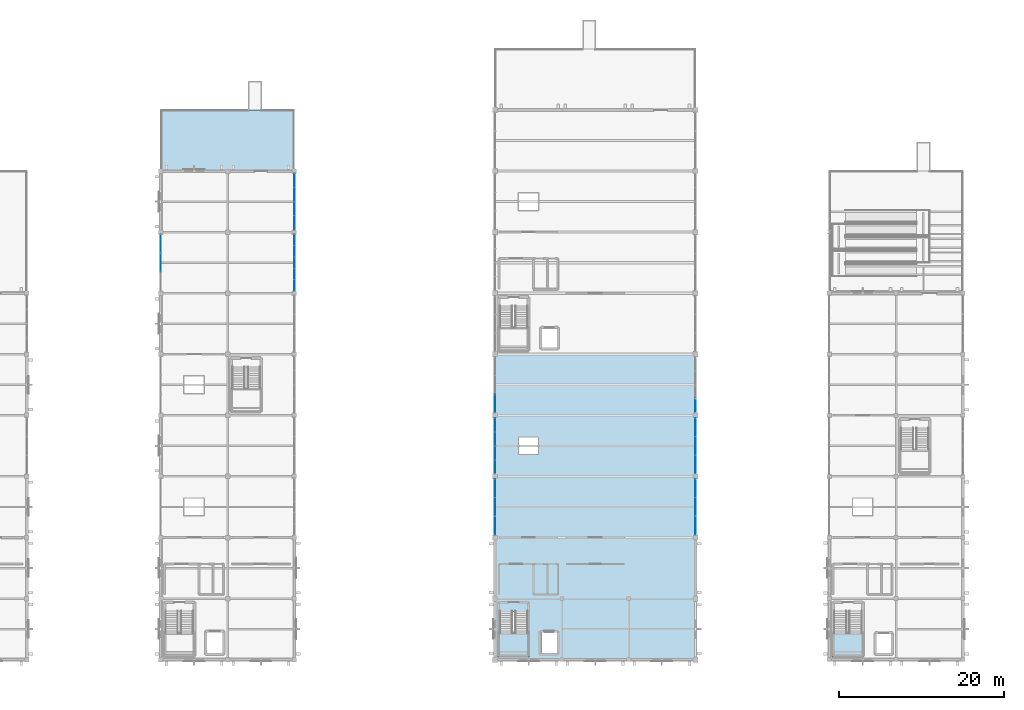
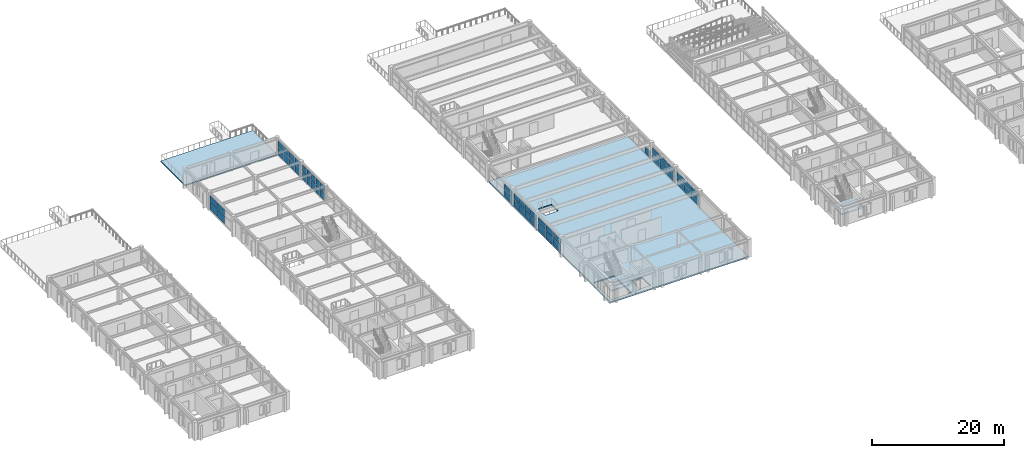
# One storey, part 73 of 93: 51 plates, 4 slabs, 11 elements without a shape of their own.
"""IFC4 building model written with IfcOpenShell, lengths in metres."""

from ifc_helpers import new_model, si_unit, direction, frame, origin, origin_2d, place, context, subcontext, project, spatial, polyline, rectangle, outline, extrude, material, layer, layer_set, type_object, element, aggregate, save


model = new_model("IFC4")

# Units and contexts
model_context = context("Model", 3, precision=1e-05, world=origin(), true_north=direction((0.0, 1.0)))
body_context = subcontext(model_context, "Body", "Model", "MODEL_VIEW")
ifc_project = project(units=[si_unit("LENGTHUNIT", "METRE"), si_unit("AREAUNIT", "SQUARE_METRE"), si_unit("VOLUMEUNIT", "CUBIC_METRE"), si_unit("PLANEANGLEUNIT", "RADIAN"), si_unit("MASSUNIT", "GRAM", prefix="KILO")], contexts=[model_context])

# Site, building, storey
site_placement = place(None, origin())
site = spatial("IfcSite", under=ifc_project, at=site_placement, CompositionType="ELEMENT")
building_placement = place(site_placement, origin())
building = spatial("IfcBuilding", under=site, at=building_placement, Name="Cimatlan Art Gallery", CompositionType="ELEMENT")
storey_placement = place(building_placement, frame((0.0, 0.0, 13.800048828125)))
storey = spatial("IfcBuildingStorey", under=building, at=storey_placement, Name="L03", CompositionType="ELEMENT", Elevation=13.800048828125)

# Curtain wall, plates
ifc_material_1 = material(Name="Anodised bronze unitised curtain wall")
curtain_wall_type_1 = type_object("IfcCurtainWallType", Name="CW-V-06842X02908-B5", PredefinedType="NOTDEFINED", material=ifc_material_1)
curtain_wall_1_placement = place(storey_placement, origin())
curtain_wall_1 = element("IfcCurtainWall", 1, at=curtain_wall_1_placement, inside=storey, type_object=curtain_wall_type_1, Name="CW-L03-05-09-E", PredefinedType="NOTDEFINED")
ifc_material_2 = material(Name="Low-E insulated double glazing", Category="glass")
ifc_layer_1 = layer(ifc_material_2, 0.028076171875)
ifc_layer_set_1 = layer_set([ifc_layer_1], Name="Low-E insulated double glazing")
plate_type_1 = type_object("IfcPlateType", Name="PNL-1310X1095", PredefinedType="CURTAIN_PANEL", material=ifc_layer_set_1)
plate_1_placement = place(storey_placement, frame((50.60009765625, 74.73681640625, 1.69091796875), z_axis=(0.0, 0.0, 1.0), x_axis=(0.0, -1.0, 0.0)))
plate_1 = element("IfcPlate", 2, at=plate_1_placement, type_object=plate_type_1, Name="CW-L03-05-09-E-P12", PredefinedType="CURTAIN_PANEL", context=body_context, shape_type="SweptSolid", body=[
    extrude(rectangle(XDim=1.31005859375, YDim=0.028076171875, at=origin_2d()), origin(), (0.0, 0.0, 1.0), 1.094970703125),
])
plate_2_placement = place(storey_placement, frame((50.60009765625, 73.368408203125, 1.69091796875), z_axis=(0.0, 0.0, 1.0), x_axis=(0.0, -1.0, 0.0)))
plate_2 = element("IfcPlate", 3, at=plate_2_placement, type_object=plate_type_1, Name="CW-L03-05-09-E-P22", PredefinedType="CURTAIN_PANEL", context=body_context, shape_type="SweptSolid", body=[
    extrude(rectangle(XDim=1.31005859375, YDim=0.028076171875, at=origin_2d()), origin(), (0.0, 0.0, 1.0), 1.094970703125),
])
plate_3_placement = place(storey_placement, frame((50.60009765625, 72.0, 1.69091796875), z_axis=(0.0, 0.0, 1.0), x_axis=(0.0, -1.0, 0.0)))
plate_3 = element("IfcPlate", 4, at=plate_3_placement, type_object=plate_type_1, Name="CW-L03-05-09-E-P32", PredefinedType="CURTAIN_PANEL", context=body_context, shape_type="SweptSolid", body=[
    extrude(rectangle(XDim=1.31005859375, YDim=0.028076171875, at=origin_2d()), origin(), (0.0, 0.0, 1.0), 1.094970703125),
])
plate_4_placement = place(storey_placement, frame((50.60009765625, 70.631591796875, 1.69091796875), z_axis=(0.0, 0.0, 1.0), x_axis=(0.0, -1.0, 0.0)))
plate_4 = element("IfcPlate", 5, at=plate_4_placement, type_object=plate_type_1, Name="CW-L03-05-09-E-P42", PredefinedType="CURTAIN_PANEL", context=body_context, shape_type="SweptSolid", body=[
    extrude(rectangle(XDim=1.31005859375, YDim=0.028076171875, at=origin_2d()), origin(), (0.0, 0.0, 1.0), 1.094970703125),
])
plate_5_placement = place(storey_placement, frame((50.60009765625, 69.26318359375, 1.69091796875), z_axis=(0.0, 0.0, 1.0), x_axis=(0.0, -1.0, 0.0)))
plate_5 = element("IfcPlate", 6, at=plate_5_placement, type_object=plate_type_1, Name="CW-L03-05-09-E-P52", PredefinedType="CURTAIN_PANEL", context=body_context, shape_type="SweptSolid", body=[
    extrude(rectangle(XDim=1.31005859375, YDim=0.028076171875, at=origin_2d()), origin(), (0.0, 0.0, 1.0), 1.094970703125),
])
ifc_layer_2 = layer(ifc_material_2, 0.028076171875)
ifc_layer_set_2 = layer_set([ifc_layer_2], Name="Low-E insulated double glazing")
plate_type_2 = type_object("IfcPlateType", Name="PNL-1310X1444", PredefinedType="CURTAIN_PANEL", material=ifc_layer_set_2)
plate_6_placement = place(storey_placement, frame((50.60009765625, 74.73681640625, 0.1220703125), z_axis=(0.0, 0.0, 1.0), x_axis=(0.0, -1.0, 0.0)))
plate_6 = element("IfcPlate", 7, at=plate_6_placement, type_object=plate_type_2, Name="CW-L03-05-09-E-P11", PredefinedType="CURTAIN_PANEL", context=body_context, shape_type="SweptSolid", body=[
    extrude(rectangle(XDim=1.31005859375, YDim=0.028076171875, at=origin_2d()), origin(), (0.0, 0.0, 1.0), 1.444091796875),
])
plate_7_placement = place(storey_placement, frame((50.60009765625, 73.368408203125, 0.1220703125), z_axis=(0.0, 0.0, 1.0), x_axis=(0.0, -1.0, 0.0)))
plate_7 = element("IfcPlate", 8, at=plate_7_placement, type_object=plate_type_2, Name="CW-L03-05-09-E-P21", PredefinedType="CURTAIN_PANEL", context=body_context, shape_type="SweptSolid", body=[
    extrude(rectangle(XDim=1.31005859375, YDim=0.028076171875, at=origin_2d()), origin(), (0.0, 0.0, 1.0), 1.444091796875),
])
plate_8_placement = place(storey_placement, frame((50.60009765625, 72.0, 0.1220703125), z_axis=(0.0, 0.0, 1.0), x_axis=(0.0, -1.0, 0.0)))
plate_8 = element("IfcPlate", 9, at=plate_8_placement, type_object=plate_type_2, Name="CW-L03-05-09-E-P31", PredefinedType="CURTAIN_PANEL", context=body_context, shape_type="SweptSolid", body=[
    extrude(rectangle(XDim=1.31005859375, YDim=0.028076171875, at=origin_2d()), origin(), (0.0, 0.0, 1.0), 1.444091796875),
])
plate_9_placement = place(storey_placement, frame((50.60009765625, 70.631591796875, 0.1220703125), z_axis=(0.0, 0.0, 1.0), x_axis=(0.0, -1.0, 0.0)))
plate_9 = element("IfcPlate", 10, at=plate_9_placement, type_object=plate_type_2, Name="CW-L03-05-09-E-P41", PredefinedType="CURTAIN_PANEL", context=body_context, shape_type="SweptSolid", body=[
    extrude(rectangle(XDim=1.31005859375, YDim=0.028076171875, at=origin_2d()), origin(), (0.0, 0.0, 1.0), 1.444091796875),
])
plate_10_placement = place(storey_placement, frame((50.60009765625, 69.26318359375, 0.1220703125), z_axis=(0.0, 0.0, 1.0), x_axis=(0.0, -1.0, 0.0)))
plate_10 = element("IfcPlate", 11, at=plate_10_placement, type_object=plate_type_2, Name="CW-L03-05-09-E-P51", PredefinedType="CURTAIN_PANEL", context=body_context, shape_type="SweptSolid", body=[
    extrude(rectangle(XDim=1.31005859375, YDim=0.028076171875, at=origin_2d()), origin(), (0.0, 0.0, 1.0), 1.444091796875),
])
aggregate(curtain_wall_1, [plate_6, plate_1, plate_7, plate_2, plate_8, plate_3, plate_9, plate_4, plate_10, plate_5])

curtain_wall_type_2 = type_object("IfcCurtainWallType", Name="CW-V-06742X02558-B4", PredefinedType="NOTDEFINED", material=ifc_material_1)
curtain_wall_2_placement = place(storey_placement, origin())
curtain_wall_2 = element("IfcCurtainWall", 12, at=curtain_wall_2_placement, inside=storey, type_object=curtain_wall_type_2, Name="CW-L03-09-06-W", PredefinedType="NOTDEFINED")
ifc_layer_3 = layer(ifc_material_2, 0.028076171875)
ifc_layer_set_3 = layer_set([ifc_layer_3], Name="Low-E insulated double glazing")
plate_type_3 = type_object("IfcPlateType", Name="PNL-1627X0942", PredefinedType="CURTAIN_PANEL", material=ifc_layer_set_3)
plate_11_placement = place(storey_placement, frame((74.89990234375, 47.271728515625, 1.494140625), z_axis=(0.0, 0.0, 1.0), x_axis=(0.0, 1.0, 0.0)))
plate_11 = element("IfcPlate", 13, at=plate_11_placement, type_object=plate_type_3, Name="CW-L03-09-06-W-P12", PredefinedType="CURTAIN_PANEL", context=body_context, shape_type="SweptSolid", body=[
    extrude(rectangle(XDim=1.626953125, YDim=0.028076171875, at=origin_2d()), origin(), (0.0, 0.0, 1.0), 0.94189453125),
])
plate_12_placement = place(storey_placement, frame((74.89990234375, 48.957275390625, 1.494140625), z_axis=(0.0, 0.0, 1.0), x_axis=(0.0, 1.0, 0.0)))
plate_12 = element("IfcPlate", 14, at=plate_12_placement, type_object=plate_type_3, Name="CW-L03-09-06-W-P22", PredefinedType="CURTAIN_PANEL", context=body_context, shape_type="SweptSolid", body=[
    extrude(rectangle(XDim=1.626953125, YDim=0.028076171875, at=origin_2d()), origin(), (0.0, 0.0, 1.0), 0.94189453125),
])
plate_13_placement = place(storey_placement, frame((74.89990234375, 50.642822265625, 1.494140625), z_axis=(0.0, 0.0, 1.0), x_axis=(0.0, 1.0, 0.0)))
plate_13 = element("IfcPlate", 15, at=plate_13_placement, type_object=plate_type_3, Name="CW-L03-09-06-W-P32", PredefinedType="CURTAIN_PANEL", context=body_context, shape_type="SweptSolid", body=[
    extrude(rectangle(XDim=1.626953125, YDim=0.028076171875, at=origin_2d()), origin(), (0.0, 0.0, 1.0), 0.94189453125),
])
plate_14_placement = place(storey_placement, frame((74.89990234375, 52.328369140625, 1.494140625), z_axis=(0.0, 0.0, 1.0), x_axis=(0.0, 1.0, 0.0)))
plate_14 = element("IfcPlate", 16, at=plate_14_placement, type_object=plate_type_3, Name="CW-L03-09-06-W-P42", PredefinedType="CURTAIN_PANEL", context=body_context, shape_type="SweptSolid", body=[
    extrude(rectangle(XDim=1.626953125, YDim=0.028076171875, at=origin_2d()), origin(), (0.0, 0.0, 1.0), 0.94189453125),
])

# Curtain wall, plate
curtain_wall_type_3 = type_object("IfcCurtainWallType", Name="CW-V-06742X02543-B4", PredefinedType="NOTDEFINED", material=ifc_material_1)
curtain_wall_3_placement = place(storey_placement, origin())
curtain_wall_3 = element("IfcCurtainWall", 17, at=curtain_wall_3_placement, inside=storey, type_object=curtain_wall_type_3, Name="CW-L03-11-07-E", PredefinedType="NOTDEFINED")
ifc_layer_4 = layer(ifc_material_2, 0.028076171875)
ifc_layer_set_4 = layer_set([ifc_layer_4], Name="Low-E insulated double glazing")
plate_type_4 = type_object("IfcPlateType", Name="PNL-1627X1240", PredefinedType="CURTAIN_PANEL", material=ifc_layer_set_4)
plate_15_placement = place(storey_placement, frame((99.199951171875, 54.671630859375, 0.1220703125), z_axis=(0.0, 0.0, 1.0), x_axis=(0.0, -1.0, 0.0)))
plate_15 = element("IfcPlate", 18, at=plate_15_placement, type_object=plate_type_4, Name="CW-L03-11-07-E-P41", PredefinedType="CURTAIN_PANEL", context=body_context, shape_type="SweptSolid", body=[
    extrude(rectangle(XDim=1.626953125, YDim=0.028076171875, at=origin_2d()), origin(), (0.0, 0.0, 1.0), 1.239990234375),
])
aggregate(curtain_wall_3, [plate_15])

# Plate
ifc_layer_5 = layer(ifc_material_2, 0.028076171875)
ifc_layer_set_5 = layer_set([ifc_layer_5], Name="Low-E insulated double glazing")
plate_type_5 = type_object("IfcPlateType", Name="PNL-1627X1248", PredefinedType="CURTAIN_PANEL", material=ifc_layer_set_5)
plate_16_placement = place(storey_placement, frame((74.89990234375, 47.271728515625, 0.1220703125), z_axis=(0.0, 0.0, 1.0), x_axis=(0.0, 1.0, 0.0)))
plate_16 = element("IfcPlate", 19, at=plate_16_placement, type_object=plate_type_5, Name="CW-L03-09-06-W-P11", PredefinedType="CURTAIN_PANEL", context=body_context, shape_type="SweptSolid", body=[
    extrude(rectangle(XDim=1.626953125, YDim=0.028076171875, at=origin_2d()), origin(), (0.0, 0.0, 1.0), 1.248046875),
])

plate_17_placement = place(storey_placement, frame((74.89990234375, 48.957275390625, 0.1220703125), z_axis=(0.0, 0.0, 1.0), x_axis=(0.0, 1.0, 0.0)))
plate_17 = element("IfcPlate", 20, at=plate_17_placement, type_object=plate_type_5, Name="CW-L03-09-06-W-P21", PredefinedType="CURTAIN_PANEL", context=body_context, shape_type="SweptSolid", body=[
    extrude(rectangle(XDim=1.626953125, YDim=0.028076171875, at=origin_2d()), origin(), (0.0, 0.0, 1.0), 1.248046875),
])

plate_18_placement = place(storey_placement, frame((74.89990234375, 50.642822265625, 0.1220703125), z_axis=(0.0, 0.0, 1.0), x_axis=(0.0, 1.0, 0.0)))
plate_18 = element("IfcPlate", 21, at=plate_18_placement, type_object=plate_type_5, Name="CW-L03-09-06-W-P31", PredefinedType="CURTAIN_PANEL", context=body_context, shape_type="SweptSolid", body=[
    extrude(rectangle(XDim=1.626953125, YDim=0.028076171875, at=origin_2d()), origin(), (0.0, 0.0, 1.0), 1.248046875),
])

plate_19_placement = place(storey_placement, frame((74.89990234375, 52.328369140625, 0.1220703125), z_axis=(0.0, 0.0, 1.0), x_axis=(0.0, 1.0, 0.0)))
plate_19 = element("IfcPlate", 22, at=plate_19_placement, type_object=plate_type_5, Name="CW-L03-09-06-W-P41", PredefinedType="CURTAIN_PANEL", context=body_context, shape_type="SweptSolid", body=[
    extrude(rectangle(XDim=1.626953125, YDim=0.028076171875, at=origin_2d()), origin(), (0.0, 0.0, 1.0), 1.248046875),
])

aggregate(curtain_wall_2, [plate_16, plate_11, plate_17, plate_12, plate_18, plate_13, plate_19, plate_14])

# Curtain wall, plates
curtain_wall_type_4 = type_object("IfcCurtainWallType", Name="CW-V-06842X02893-B4", PredefinedType="NOTDEFINED", material=ifc_material_1)
curtain_wall_4_placement = place(storey_placement, origin())
curtain_wall_4 = element("IfcCurtainWall", 23, at=curtain_wall_4_placement, inside=storey, type_object=curtain_wall_type_4, Name="CW-L03-05-10-E", PredefinedType="NOTDEFINED")
ifc_layer_6 = layer(ifc_material_2, 0.028076171875)
ifc_layer_set_6 = layer_set([ifc_layer_6], Name="Low-E insulated double glazing")
plate_type_6 = type_object("IfcPlateType", Name="PNL-1652X1089", PredefinedType="CURTAIN_PANEL", material=ifc_layer_set_6)
plate_20_placement = place(storey_placement, frame((50.60009765625, 81.9658203125, 1.68212890625), z_axis=(0.0, 0.0, 1.0), x_axis=(0.0, -1.0, 0.0)))
plate_20 = element("IfcPlate", 24, at=plate_20_placement, type_object=plate_type_6, Name="CW-L03-05-10-E-P12", PredefinedType="CURTAIN_PANEL", context=body_context, shape_type="SweptSolid", body=[
    extrude(rectangle(XDim=1.652099609375, YDim=0.028076171875, at=origin_2d()), origin(), (0.0, 0.0, 1.0), 1.089111328125),
])
plate_21_placement = place(storey_placement, frame((50.60009765625, 80.25537109375, 1.68212890625), z_axis=(0.0, 0.0, 1.0), x_axis=(0.0, -1.0, 0.0)))
plate_21 = element("IfcPlate", 25, at=plate_21_placement, type_object=plate_type_6, Name="CW-L03-05-10-E-P22", PredefinedType="CURTAIN_PANEL", context=body_context, shape_type="SweptSolid", body=[
    extrude(rectangle(XDim=1.652099609375, YDim=0.028076171875, at=origin_2d()), origin(), (0.0, 0.0, 1.0), 1.089111328125),
])
plate_22_placement = place(storey_placement, frame((50.60009765625, 78.544677734375, 1.68212890625), z_axis=(0.0, 0.0, 1.0), x_axis=(0.0, -1.0, 0.0)))
plate_22 = element("IfcPlate", 26, at=plate_22_placement, type_object=plate_type_6, Name="CW-L03-05-10-E-P32", PredefinedType="CURTAIN_PANEL", context=body_context, shape_type="SweptSolid", body=[
    extrude(rectangle(XDim=1.652099609375, YDim=0.028076171875, at=origin_2d()), origin(), (0.0, 0.0, 1.0), 1.089111328125),
])
plate_23_placement = place(storey_placement, frame((50.60009765625, 76.834228515625, 1.68212890625), z_axis=(0.0, 0.0, 1.0), x_axis=(0.0, -1.0, 0.0)))
plate_23 = element("IfcPlate", 27, at=plate_23_placement, type_object=plate_type_6, Name="CW-L03-05-10-E-P42", PredefinedType="CURTAIN_PANEL", context=body_context, shape_type="SweptSolid", body=[
    extrude(rectangle(XDim=1.652099609375, YDim=0.028076171875, at=origin_2d()), origin(), (0.0, 0.0, 1.0), 1.089111328125),
])
ifc_layer_7 = layer(ifc_material_2, 0.028076171875)
ifc_layer_set_7 = layer_set([ifc_layer_7], Name="Low-E insulated double glazing")
plate_type_7 = type_object("IfcPlateType", Name="PNL-1652X1436", PredefinedType="CURTAIN_PANEL", material=ifc_layer_set_7)
plate_24_placement = place(storey_placement, frame((50.60009765625, 81.9658203125, 0.1220703125), z_axis=(0.0, 0.0, 1.0), x_axis=(0.0, -1.0, 0.0)))
plate_24 = element("IfcPlate", 28, at=plate_24_placement, type_object=plate_type_7, Name="CW-L03-05-10-E-P11", PredefinedType="CURTAIN_PANEL", context=body_context, shape_type="SweptSolid", body=[
    extrude(rectangle(XDim=1.652099609375, YDim=0.028076171875, at=origin_2d()), origin(), (0.0, 0.0, 1.0), 1.43603515625),
])
plate_25_placement = place(storey_placement, frame((50.60009765625, 80.25537109375, 0.1220703125), z_axis=(0.0, 0.0, 1.0), x_axis=(0.0, -1.0, 0.0)))
plate_25 = element("IfcPlate", 29, at=plate_25_placement, type_object=plate_type_7, Name="CW-L03-05-10-E-P21", PredefinedType="CURTAIN_PANEL", context=body_context, shape_type="SweptSolid", body=[
    extrude(rectangle(XDim=1.652099609375, YDim=0.028076171875, at=origin_2d()), origin(), (0.0, 0.0, 1.0), 1.43603515625),
])
plate_26_placement = place(storey_placement, frame((50.60009765625, 78.544677734375, 0.1220703125), z_axis=(0.0, 0.0, 1.0), x_axis=(0.0, -1.0, 0.0)))
plate_26 = element("IfcPlate", 30, at=plate_26_placement, type_object=plate_type_7, Name="CW-L03-05-10-E-P31", PredefinedType="CURTAIN_PANEL", context=body_context, shape_type="SweptSolid", body=[
    extrude(rectangle(XDim=1.652099609375, YDim=0.028076171875, at=origin_2d()), origin(), (0.0, 0.0, 1.0), 1.43603515625),
])
plate_27_placement = place(storey_placement, frame((50.60009765625, 76.834228515625, 0.1220703125), z_axis=(0.0, 0.0, 1.0), x_axis=(0.0, -1.0, 0.0)))
plate_27 = element("IfcPlate", 31, at=plate_27_placement, type_object=plate_type_7, Name="CW-L03-05-10-E-P41", PredefinedType="CURTAIN_PANEL", context=body_context, shape_type="SweptSolid", body=[
    extrude(rectangle(XDim=1.652099609375, YDim=0.028076171875, at=origin_2d()), origin(), (0.0, 0.0, 1.0), 1.43603515625),
])
aggregate(curtain_wall_4, [plate_24, plate_20, plate_25, plate_21, plate_26, plate_22, plate_27, plate_23])

# Curtain wall, plate
curtain_wall_type_5 = type_object("IfcCurtainWallType", Name="CW-V-06742X02543-B3", PredefinedType="NOTDEFINED", material=ifc_material_1)
curtain_wall_5_placement = place(storey_placement, origin())
curtain_wall_5 = element("IfcCurtainWall", 32, at=curtain_wall_5_placement, inside=storey, type_object=curtain_wall_type_5, Name="CW-L03-09-07-W", PredefinedType="NOTDEFINED")
ifc_layer_8 = layer(ifc_material_2, 0.028076171875)
ifc_layer_set_8 = layer_set([ifc_layer_8], Name="Low-E insulated double glazing")
plate_type_8 = type_object("IfcPlateType", Name="PNL-2189X0935", PredefinedType="CURTAIN_PANEL", material=ifc_layer_set_8)
plate_28_placement = place(storey_placement, frame((74.89990234375, 54.95263671875, 1.486083984375), z_axis=(0.0, 0.0, 1.0), x_axis=(0.0, 1.0, 0.0)))
plate_28 = element("IfcPlate", 33, at=plate_28_placement, type_object=plate_type_8, Name="CW-L03-09-07-W-P12", PredefinedType="CURTAIN_PANEL", context=body_context, shape_type="SweptSolid", body=[
    extrude(rectangle(XDim=2.18896484375, YDim=0.028076171875, at=origin_2d()), origin(), (0.0, 0.0, 1.0), 0.93505859375),
])

# Curtain wall, plates
curtain_wall_type_6 = type_object("IfcCurtainWallType", Name="CW-V-06742X02558-B3", PredefinedType="NOTDEFINED", material=ifc_material_1)
curtain_wall_6_placement = place(storey_placement, origin())
curtain_wall_6 = element("IfcCurtainWall", 34, at=curtain_wall_6_placement, inside=storey, type_object=curtain_wall_type_6, Name="CW-L03-11-06-E", PredefinedType="NOTDEFINED")
ifc_layer_9 = layer(ifc_material_2, 0.028076171875)
ifc_layer_set_9 = layer_set([ifc_layer_9], Name="Low-E insulated double glazing")
plate_type_9 = type_object("IfcPlateType", Name="PNL-2189X0942", PredefinedType="CURTAIN_PANEL", material=ifc_layer_set_9)
plate_29_placement = place(storey_placement, frame((99.199951171875, 52.04736328125, 1.494140625), z_axis=(0.0, 0.0, 1.0), x_axis=(0.0, -1.0, 0.0)))
plate_29 = element("IfcPlate", 35, at=plate_29_placement, type_object=plate_type_9, Name="CW-L03-11-06-E-P12", PredefinedType="CURTAIN_PANEL", context=body_context, shape_type="SweptSolid", body=[
    extrude(rectangle(XDim=2.18896484375, YDim=0.028076171875, at=origin_2d()), origin(), (0.0, 0.0, 1.0), 0.94189453125),
])
plate_30_placement = place(storey_placement, frame((99.199951171875, 49.800048828125, 1.494140625), z_axis=(0.0, 0.0, 1.0), x_axis=(0.0, -1.0, 0.0)))
plate_30 = element("IfcPlate", 36, at=plate_30_placement, type_object=plate_type_9, Name="CW-L03-11-06-E-P22", PredefinedType="CURTAIN_PANEL", context=body_context, shape_type="SweptSolid", body=[
    extrude(rectangle(XDim=2.18896484375, YDim=0.028076171875, at=origin_2d()), origin(), (0.0, 0.0, 1.0), 0.94189453125),
])
plate_31_placement = place(storey_placement, frame((99.199951171875, 47.552734375, 1.494140625), z_axis=(0.0, 0.0, 1.0), x_axis=(0.0, -1.0, 0.0)))
plate_31 = element("IfcPlate", 37, at=plate_31_placement, type_object=plate_type_9, Name="CW-L03-11-06-E-P32", PredefinedType="CURTAIN_PANEL", context=body_context, shape_type="SweptSolid", body=[
    extrude(rectangle(XDim=2.18896484375, YDim=0.028076171875, at=origin_2d()), origin(), (0.0, 0.0, 1.0), 0.94189453125),
])

curtain_wall_type_7 = type_object("IfcCurtainWallType", Name="CW-V-06742X02573-B3", PredefinedType="NOTDEFINED", material=ifc_material_1)
curtain_wall_7_placement = place(storey_placement, origin())
curtain_wall_7 = element("IfcCurtainWall", 38, at=curtain_wall_7_placement, inside=storey, type_object=curtain_wall_type_7, Name="CW-L03-09-05-W", PredefinedType="NOTDEFINED")
ifc_layer_10 = layer(ifc_material_2, 0.028076171875)
ifc_layer_set_10 = layer_set([ifc_layer_10], Name="Low-E insulated double glazing")
plate_type_10 = type_object("IfcPlateType", Name="PNL-2189X0948", PredefinedType="CURTAIN_PANEL", material=ifc_layer_set_10)
plate_32_placement = place(storey_placement, frame((74.89990234375, 40.152587890625, 1.5029296875), z_axis=(0.0, 0.0, 1.0), x_axis=(0.0, 1.0, 0.0)))
plate_32 = element("IfcPlate", 39, at=plate_32_placement, type_object=plate_type_10, Name="CW-L03-09-05-W-P12", PredefinedType="CURTAIN_PANEL", context=body_context, shape_type="SweptSolid", body=[
    extrude(rectangle(XDim=2.18896484375, YDim=0.028076171875, at=origin_2d()), origin(), (0.0, 0.0, 1.0), 0.947998046875),
])
plate_33_placement = place(storey_placement, frame((74.89990234375, 42.39990234375, 1.5029296875), z_axis=(0.0, 0.0, 1.0), x_axis=(0.0, 1.0, 0.0)))
plate_33 = element("IfcPlate", 40, at=plate_33_placement, type_object=plate_type_10, Name="CW-L03-09-05-W-P22", PredefinedType="CURTAIN_PANEL", context=body_context, shape_type="SweptSolid", body=[
    extrude(rectangle(XDim=2.18896484375, YDim=0.028076171875, at=origin_2d()), origin(), (0.0, 0.0, 1.0), 0.947998046875),
])
plate_34_placement = place(storey_placement, frame((74.89990234375, 44.647216796875, 1.5029296875), z_axis=(0.0, 0.0, 1.0), x_axis=(0.0, 1.0, 0.0)))
plate_34 = element("IfcPlate", 41, at=plate_34_placement, type_object=plate_type_10, Name="CW-L03-09-05-W-P32", PredefinedType="CURTAIN_PANEL", context=body_context, shape_type="SweptSolid", body=[
    extrude(rectangle(XDim=2.18896484375, YDim=0.028076171875, at=origin_2d()), origin(), (0.0, 0.0, 1.0), 0.947998046875),
])

curtain_wall_8_placement = place(storey_placement, origin())
curtain_wall_8 = element("IfcCurtainWall", 42, at=curtain_wall_8_placement, inside=storey, type_object=curtain_wall_type_7, Name="CW-L03-11-05-E", PredefinedType="NOTDEFINED")
plate_35_placement = place(storey_placement, frame((99.199951171875, 44.647216796875, 1.5029296875), z_axis=(0.0, 0.0, 1.0), x_axis=(0.0, -1.0, 0.0)))
plate_35 = element("IfcPlate", 43, at=plate_35_placement, type_object=plate_type_10, Name="CW-L03-11-05-E-P12", PredefinedType="CURTAIN_PANEL", context=body_context, shape_type="SweptSolid", body=[
    extrude(rectangle(XDim=2.18896484375, YDim=0.028076171875, at=origin_2d()), origin(), (0.0, 0.0, 1.0), 0.947998046875),
])
plate_36_placement = place(storey_placement, frame((99.199951171875, 42.39990234375, 1.5029296875), z_axis=(0.0, 0.0, 1.0), x_axis=(0.0, -1.0, 0.0)))
plate_36 = element("IfcPlate", 44, at=plate_36_placement, type_object=plate_type_10, Name="CW-L03-11-05-E-P22", PredefinedType="CURTAIN_PANEL", context=body_context, shape_type="SweptSolid", body=[
    extrude(rectangle(XDim=2.18896484375, YDim=0.028076171875, at=origin_2d()), origin(), (0.0, 0.0, 1.0), 0.947998046875),
])
plate_37_placement = place(storey_placement, frame((99.199951171875, 40.152587890625, 1.5029296875), z_axis=(0.0, 0.0, 1.0), x_axis=(0.0, -1.0, 0.0)))
plate_37 = element("IfcPlate", 45, at=plate_37_placement, type_object=plate_type_10, Name="CW-L03-11-05-E-P32", PredefinedType="CURTAIN_PANEL", context=body_context, shape_type="SweptSolid", body=[
    extrude(rectangle(XDim=2.18896484375, YDim=0.028076171875, at=origin_2d()), origin(), (0.0, 0.0, 1.0), 0.947998046875),
])

# Plate
ifc_layer_11 = layer(ifc_material_2, 0.028076171875)
ifc_layer_set_11 = layer_set([ifc_layer_11], Name="Low-E insulated double glazing")
plate_type_11 = type_object("IfcPlateType", Name="PNL-2189X1240", PredefinedType="CURTAIN_PANEL", material=ifc_layer_set_11)
plate_38_placement = place(storey_placement, frame((74.89990234375, 54.95263671875, 0.1220703125), z_axis=(0.0, 0.0, 1.0), x_axis=(0.0, 1.0, 0.0)))
plate_38 = element("IfcPlate", 46, at=plate_38_placement, type_object=plate_type_11, Name="CW-L03-09-07-W-P11", PredefinedType="CURTAIN_PANEL", context=body_context, shape_type="SweptSolid", body=[
    extrude(rectangle(XDim=2.18896484375, YDim=0.028076171875, at=origin_2d()), origin(), (0.0, 0.0, 1.0), 1.239990234375),
])

aggregate(curtain_wall_5, [plate_38, plate_28])

ifc_layer_12 = layer(ifc_material_2, 0.028076171875)
ifc_layer_set_12 = layer_set([ifc_layer_12], Name="Low-E insulated double glazing")
plate_type_12 = type_object("IfcPlateType", Name="PNL-2189X1248", PredefinedType="CURTAIN_PANEL", material=ifc_layer_set_12)
plate_39_placement = place(storey_placement, frame((99.199951171875, 52.04736328125, 0.1220703125), z_axis=(0.0, 0.0, 1.0), x_axis=(0.0, -1.0, 0.0)))
plate_39 = element("IfcPlate", 47, at=plate_39_placement, type_object=plate_type_12, Name="CW-L03-11-06-E-P11", PredefinedType="CURTAIN_PANEL", context=body_context, shape_type="SweptSolid", body=[
    extrude(rectangle(XDim=2.18896484375, YDim=0.028076171875, at=origin_2d()), origin(), (0.0, 0.0, 1.0), 1.248046875),
])

plate_40_placement = place(storey_placement, frame((99.199951171875, 49.800048828125, 0.1220703125), z_axis=(0.0, 0.0, 1.0), x_axis=(0.0, -1.0, 0.0)))
plate_40 = element("IfcPlate", 48, at=plate_40_placement, type_object=plate_type_12, Name="CW-L03-11-06-E-P21", PredefinedType="CURTAIN_PANEL", context=body_context, shape_type="SweptSolid", body=[
    extrude(rectangle(XDim=2.18896484375, YDim=0.028076171875, at=origin_2d()), origin(), (0.0, 0.0, 1.0), 1.248046875),
])

plate_41_placement = place(storey_placement, frame((99.199951171875, 47.552734375, 0.1220703125), z_axis=(0.0, 0.0, 1.0), x_axis=(0.0, -1.0, 0.0)))
plate_41 = element("IfcPlate", 49, at=plate_41_placement, type_object=plate_type_12, Name="CW-L03-11-06-E-P31", PredefinedType="CURTAIN_PANEL", context=body_context, shape_type="SweptSolid", body=[
    extrude(rectangle(XDim=2.18896484375, YDim=0.028076171875, at=origin_2d()), origin(), (0.0, 0.0, 1.0), 1.248046875),
])

aggregate(curtain_wall_6, [plate_39, plate_29, plate_40, plate_30, plate_41, plate_31])

ifc_layer_13 = layer(ifc_material_2, 0.028076171875)
ifc_layer_set_13 = layer_set([ifc_layer_13], Name="Low-E insulated double glazing")
plate_type_13 = type_object("IfcPlateType", Name="PNL-2189X1257", PredefinedType="CURTAIN_PANEL", material=ifc_layer_set_13)
plate_42_placement = place(storey_placement, frame((74.89990234375, 40.152587890625, 0.1220703125), z_axis=(0.0, 0.0, 1.0), x_axis=(0.0, 1.0, 0.0)))
plate_42 = element("IfcPlate", 50, at=plate_42_placement, type_object=plate_type_13, Name="CW-L03-09-05-W-P11", PredefinedType="CURTAIN_PANEL", context=body_context, shape_type="SweptSolid", body=[
    extrude(rectangle(XDim=2.18896484375, YDim=0.028076171875, at=origin_2d()), origin(), (0.0, 0.0, 1.0), 1.257080078125),
])

plate_43_placement = place(storey_placement, frame((74.89990234375, 42.39990234375, 0.1220703125), z_axis=(0.0, 0.0, 1.0), x_axis=(0.0, 1.0, 0.0)))
plate_43 = element("IfcPlate", 51, at=plate_43_placement, type_object=plate_type_13, Name="CW-L03-09-05-W-P21", PredefinedType="CURTAIN_PANEL", context=body_context, shape_type="SweptSolid", body=[
    extrude(rectangle(XDim=2.18896484375, YDim=0.028076171875, at=origin_2d()), origin(), (0.0, 0.0, 1.0), 1.257080078125),
])

plate_44_placement = place(storey_placement, frame((74.89990234375, 44.647216796875, 0.1220703125), z_axis=(0.0, 0.0, 1.0), x_axis=(0.0, 1.0, 0.0)))
plate_44 = element("IfcPlate", 52, at=plate_44_placement, type_object=plate_type_13, Name="CW-L03-09-05-W-P31", PredefinedType="CURTAIN_PANEL", context=body_context, shape_type="SweptSolid", body=[
    extrude(rectangle(XDim=2.18896484375, YDim=0.028076171875, at=origin_2d()), origin(), (0.0, 0.0, 1.0), 1.257080078125),
])

aggregate(curtain_wall_7, [plate_42, plate_32, plate_43, plate_33, plate_44, plate_34])

plate_45_placement = place(storey_placement, frame((99.199951171875, 44.647216796875, 0.1220703125), z_axis=(0.0, 0.0, 1.0), x_axis=(0.0, -1.0, 0.0)))
plate_45 = element("IfcPlate", 53, at=plate_45_placement, type_object=plate_type_13, Name="CW-L03-11-05-E-P11", PredefinedType="CURTAIN_PANEL", context=body_context, shape_type="SweptSolid", body=[
    extrude(rectangle(XDim=2.18896484375, YDim=0.028076171875, at=origin_2d()), origin(), (0.0, 0.0, 1.0), 1.257080078125),
])

plate_46_placement = place(storey_placement, frame((99.199951171875, 42.39990234375, 0.1220703125), z_axis=(0.0, 0.0, 1.0), x_axis=(0.0, -1.0, 0.0)))
plate_46 = element("IfcPlate", 54, at=plate_46_placement, type_object=plate_type_13, Name="CW-L03-11-05-E-P21", PredefinedType="CURTAIN_PANEL", context=body_context, shape_type="SweptSolid", body=[
    extrude(rectangle(XDim=2.18896484375, YDim=0.028076171875, at=origin_2d()), origin(), (0.0, 0.0, 1.0), 1.257080078125),
])

plate_47_placement = place(storey_placement, frame((99.199951171875, 40.152587890625, 0.1220703125), z_axis=(0.0, 0.0, 1.0), x_axis=(0.0, -1.0, 0.0)))
plate_47 = element("IfcPlate", 55, at=plate_47_placement, type_object=plate_type_13, Name="CW-L03-11-05-E-P31", PredefinedType="CURTAIN_PANEL", context=body_context, shape_type="SweptSolid", body=[
    extrude(rectangle(XDim=2.18896484375, YDim=0.028076171875, at=origin_2d()), origin(), (0.0, 0.0, 1.0), 1.257080078125),
])

aggregate(curtain_wall_8, [plate_45, plate_35, plate_46, plate_36, plate_47, plate_37])

# Curtain wall, plates
curtain_wall_type_8 = type_object("IfcCurtainWallType", Name="CW-V-06842X02863-B3", PredefinedType="NOTDEFINED", material=ifc_material_1)
curtain_wall_9_placement = place(storey_placement, origin())
curtain_wall_9 = element("IfcCurtainWall", 56, at=curtain_wall_9_placement, inside=storey, type_object=curtain_wall_type_8, Name="CW-L03-04-09-W", PredefinedType="NOTDEFINED")
ifc_layer_14 = layer(ifc_material_2, 0.028076171875)
ifc_layer_set_14 = layer_set([ifc_layer_14], Name="Low-E insulated double glazing")
plate_type_14 = type_object("IfcPlateType", Name="PNL-2223X1076", PredefinedType="CURTAIN_PANEL", material=ifc_layer_set_14)
plate_48_placement = place(storey_placement, frame((34.39990234375, 72.0, 1.6650390625), z_axis=(0.0, 0.0, 1.0), x_axis=(0.0, 1.0, 0.0)))
plate_48 = element("IfcPlate", 57, at=plate_48_placement, type_object=plate_type_14, Name="CW-L03-04-09-W-P22", PredefinedType="CURTAIN_PANEL", context=body_context, shape_type="SweptSolid", body=[
    extrude(rectangle(XDim=2.222900390625, YDim=0.028076171875, at=origin_2d()), origin(), (0.0, 0.0, 1.0), 1.075927734375),
])
plate_49_placement = place(storey_placement, frame((34.39990234375, 74.28076171875, 1.6650390625), z_axis=(0.0, 0.0, 1.0), x_axis=(0.0, 1.0, 0.0)))
plate_49 = element("IfcPlate", 58, at=plate_49_placement, type_object=plate_type_14, Name="CW-L03-04-09-W-P32", PredefinedType="CURTAIN_PANEL", context=body_context, shape_type="SweptSolid", body=[
    extrude(rectangle(XDim=2.222900390625, YDim=0.028076171875, at=origin_2d()), origin(), (0.0, 0.0, 1.0), 1.075927734375),
])
ifc_layer_15 = layer(ifc_material_2, 0.028076171875)
ifc_layer_set_15 = layer_set([ifc_layer_15], Name="Low-E insulated double glazing")
plate_type_15 = type_object("IfcPlateType", Name="PNL-2223X1419", PredefinedType="CURTAIN_PANEL", material=ifc_layer_set_15)
plate_50_placement = place(storey_placement, frame((34.39990234375, 72.0, 0.1220703125), z_axis=(0.0, 0.0, 1.0), x_axis=(0.0, 1.0, 0.0)))
plate_50 = element("IfcPlate", 59, at=plate_50_placement, type_object=plate_type_15, Name="CW-L03-04-09-W-P21", PredefinedType="CURTAIN_PANEL", context=body_context, shape_type="SweptSolid", body=[
    extrude(rectangle(XDim=2.222900390625, YDim=0.028076171875, at=origin_2d()), origin(), (0.0, 0.0, 1.0), 1.4189453125),
])
plate_51_placement = place(storey_placement, frame((34.39990234375, 74.28076171875, 0.1220703125), z_axis=(0.0, 0.0, 1.0), x_axis=(0.0, 1.0, 0.0)))
plate_51 = element("IfcPlate", 60, at=plate_51_placement, type_object=plate_type_15, Name="CW-L03-04-09-W-P31", PredefinedType="CURTAIN_PANEL", context=body_context, shape_type="SweptSolid", body=[
    extrude(rectangle(XDim=2.222900390625, YDim=0.028076171875, at=origin_2d()), origin(), (0.0, 0.0, 1.0), 1.4189453125),
])
aggregate(curtain_wall_9, [plate_50, plate_48, plate_51, plate_49])

# Slab
ifc_material_3 = material(Name="Concrete C35/45", Category="concrete")
ifc_layer_16 = layer(ifc_material_3, 0.22998046875)
ifc_layer_set_16 = layer_set([ifc_layer_16], Name="Concrete C35/45")
slab_type_1 = type_object("IfcSlabType", Name="SLB-FLR-L03", PredefinedType="FLOOR", material=ifc_layer_set_16)
slab_1_placement = place(storey_placement, frame((0.0, 0.0, -0.22998046875)))
element("IfcSlab", 61, at=slab_1_placement, inside=storey, type_object=slab_type_1, Name="SLB-L03-B3S", PredefinedType="FLOOR", context=body_context, shape_type="SweptSolid", body=[
    extrude(outline(polyline([(74.89990234375, 23.89990234375), (99.199951171875, 23.89990234375), (99.199951171875, 60.89990234375), (74.89990234375, 60.89990234375), (74.89990234375, 23.89990234375)]), holes=[polyline([(75.39990234375, 24.419921875), (78.919921875, 24.419921875), (78.919921875, 29.64990234375), (75.39990234375, 29.64990234375), (75.39990234375, 24.419921875)]), polyline([(80.510009765625, 24.7099609375), (82.389892578125, 24.7099609375), (82.389892578125, 27.18994140625), (80.510009765625, 27.18994140625), (80.510009765625, 24.7099609375)]), polyline([(77.800048828125, 48.800048828125), (80.10009765625, 48.800048828125), (80.10009765625, 50.800048828125), (77.800048828125, 50.800048828125), (77.800048828125, 48.800048828125)])]), origin(), (0.0, 0.0, 1.0), 0.22998046875),
])

# Stair, slab
stair_type = type_object("IfcStairType", Name="STR-HALF-155-360", PredefinedType="HALF_TURN_STAIR", material=ifc_material_3)
stair_1_placement = place(storey_placement, origin())
stair_1 = element("IfcStair", 62, at=stair_1_placement, inside=storey, type_object=stair_type, Name="STR-C3-L03", PredefinedType="HALF_TURN_STAIR")
ifc_layer_17 = layer(ifc_material_3, 0.219970703125)
ifc_layer_set_17 = layer_set([ifc_layer_17], Name="Concrete C35/45")
slab_type_2 = type_object("IfcSlabType", Name="SLB-STAIR-LAND-220", PredefinedType="LANDING", material=ifc_layer_set_17)
slab_2_placement = place(storey_placement, frame((0.0, 0.0, 1.579833984375)))
slab_2 = element("IfcSlab", 63, at=slab_2_placement, type_object=slab_type_2, Name="STR-C3-L03-LND", PredefinedType="LANDING", context=body_context, shape_type="SweptSolid", body=[
    extrude(outline(polyline([(75.25, 24.25), (79.0400390625, 24.25), (79.0400390625, 27.280029296875), (75.25, 27.280029296875), (75.25, 24.25)])), origin(), (0.0, 0.0, 1.0), 0.22021484375),
])
aggregate(stair_1, [slab_2])

stair_2_placement = place(storey_placement, origin())
stair_2 = element("IfcStair", 64, at=stair_2_placement, inside=storey, type_object=stair_type, Name="STR-C4-L03", PredefinedType="HALF_TURN_STAIR")
slab_3_placement = place(storey_placement, frame((0.0, 0.0, 1.579833984375)))
slab_3 = element("IfcSlab", 65, at=slab_3_placement, type_object=slab_type_2, Name="STR-C4-L03-LND", PredefinedType="LANDING", context=body_context, shape_type="SweptSolid", body=[
    extrude(outline(polyline([(115.75, 24.25), (119.5400390625, 24.25), (119.5400390625, 27.280029296875), (115.75, 27.280029296875), (115.75, 24.25)])), origin(), (0.0, 0.0, 1.0), 0.22021484375),
])
aggregate(stair_2, [slab_3])

# Slab
ifc_layer_18 = layer(ifc_material_3, 0.219970703125)
ifc_layer_set_18 = layer_set([ifc_layer_18], Name="Concrete C35/45")
slab_type_3 = type_object("IfcSlabType", Name="SLB-TER-220", PredefinedType="FLOOR", material=ifc_layer_set_18)
slab_4_placement = place(storey_placement, frame((0.0, 0.0, -0.219970703125)))
element("IfcSlab", 66, at=slab_4_placement, inside=storey, type_object=slab_type_3, Name="TER-L03-B2", PredefinedType="FLOOR", context=body_context, shape_type="SweptSolid", body=[
    extrude(outline(polyline([(34.39990234375, 83.10009765625), (50.60009765625, 83.10009765625), (50.60009765625, 90.5), (34.39990234375, 90.5), (34.39990234375, 83.10009765625)])), origin(), (0.0, 0.0, 1.0), 0.219970703125),
])

save(model, "model.ifc")
